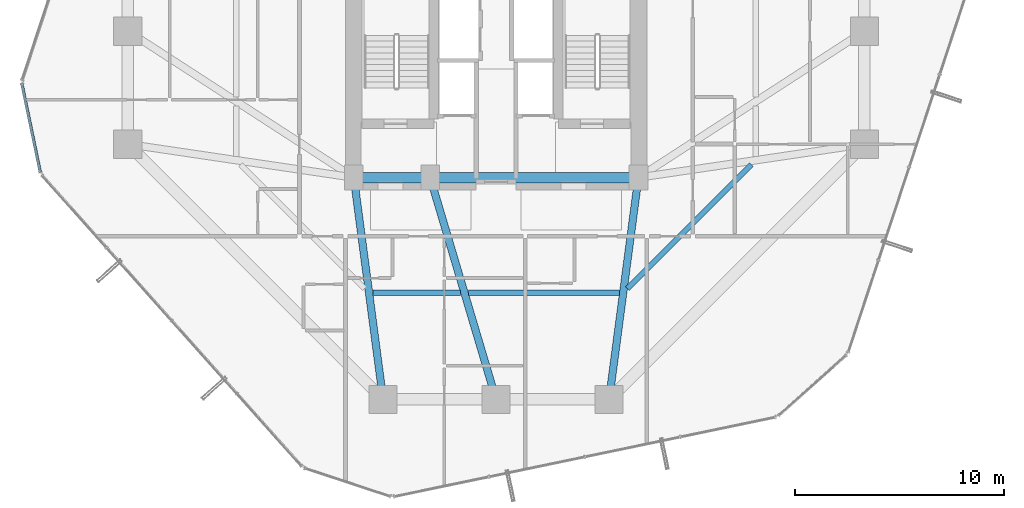
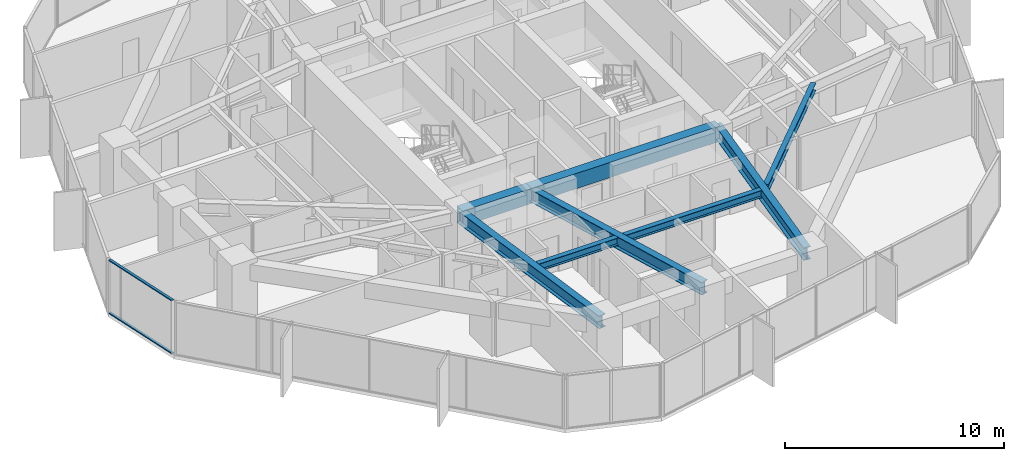
# One storey, part 9 of 38: 8 beams, 2 members, 1 element without a shape of its own.
"""IFC4 building model written with IfcOpenShell, lengths in metres."""

from ifc_helpers import new_model, si_unit, direction, frame, origin, origin_2d, place, context, subcontext, project, spatial, rectangle, hollow_rectangle, i_section, extrude, source, transform, mapped, material, layer, layer_set, material_profile, profile_set, type_object, element, aggregate, save


model = new_model("IFC4")

# Units and contexts
model_context = context("Model", 3, precision=1e-05, world=origin(), true_north=direction((0.0, 1.0)))
body_context = subcontext(model_context, "Body", "Model", "MODEL_VIEW")
ifc_project = project(units=[si_unit("LENGTHUNIT", "METRE"), si_unit("AREAUNIT", "SQUARE_METRE"), si_unit("VOLUMEUNIT", "CUBIC_METRE"), si_unit("PLANEANGLEUNIT", "RADIAN"), si_unit("MASSUNIT", "GRAM", prefix="KILO")], contexts=[model_context])

# Site, building, storey
site_placement = place(None, origin())
site = spatial("IfcSite", under=ifc_project, at=site_placement, CompositionType="ELEMENT")
building_placement = place(site_placement, origin())
building = spatial("IfcBuilding", under=site, at=building_placement, Name="Veraguas Prism Commons", CompositionType="ELEMENT")
storey_placement = place(building_placement, frame((0.0, 0.0, 64.10009765625)))
storey = spatial("IfcBuildingStorey", under=building, at=storey_placement, Name="L17", CompositionType="ELEMENT", Elevation=64.10009765625)

# Beams
ifc_material_1 = material(Name="Concrete C50/60", Category="concrete")
ifc_material_profile_1 = material_profile(ifc_material_1, rectangle(XDim=0.5, YDim=0.85009765625, at=origin_2d()), Name="RC500X850")
ifc_profile_set_1 = profile_set([ifc_material_profile_1], Name="Concrete C50/60")
beam_type_1 = type_object("IfcBeamType", Name="Core Coupling Beam RC 500x850", PredefinedType="BEAM", material=ifc_profile_set_1)
beam_1_placement = place(storey_placement, frame((17.199951171875, 17.0, 2.574951171875), z_axis=(1.0, 0.0, 0.0), x_axis=(0.0, 1.0, 0.0)))
element("IfcBeam", 1, at=beam_1_placement, inside=storey, type_object=beam_type_1, Name="Core Coupling Beam L17-CRS1", PredefinedType="BEAM", context=body_context, shape_type="SweptSolid", body=[
    extrude(rectangle(XDim=0.5, YDim=0.85009765625, at=origin_2d()), origin(), (0.0, 0.0, 1.0), 3.650146484375),
])
beam_2_placement = place(storey_placement, frame((20.85009765625, 17.0, 2.574951171875), z_axis=(1.0, 0.0, 0.0), x_axis=(0.0, 1.0, 0.0)))
element("IfcBeam", 2, at=beam_2_placement, inside=storey, type_object=beam_type_1, Name="Core Coupling Beam L17-CRS2", PredefinedType="BEAM", context=body_context, shape_type="SweptSolid", body=[
    extrude(rectangle(XDim=0.5, YDim=0.85009765625, at=origin_2d()), origin(), (0.0, 0.0, 1.0), 9.949951171875),
])
ifc_material_2 = material(Name="Steel ASTM A992 Grade 50", Category="steel")
ifc_material_profile_2 = material_profile(ifc_material_2, i_section(OverallWidth=0.260986328125, OverallDepth=0.419921875, WebThickness=0.01171875, FlangeThickness=0.019287109375, at=origin_2d()), Name="W410X114")
ifc_profile_set_2 = profile_set([ifc_material_profile_2], Name="Steel ASTM A992 Grade 50")
beam_type_2 = type_object("IfcBeamType", Name="Lower Floor Joist W410x114", PredefinedType="JOIST", material=ifc_profile_set_2)
beam_3_placement = place(storey_placement, frame((18.10546875, 11.488037109375, 2.789794921875), z_axis=(1.0, 0.0, 0.0), x_axis=(0.0, 1.0, 0.0)))
element("IfcBeam", 3, at=beam_3_placement, inside=storey, type_object=beam_type_2, Name="Composite Floor Joist L17-JS10", PredefinedType="JOIST", context=body_context, shape_type="SweptSolid", body=[
    extrude(i_section(OverallWidth=0.260986328125, OverallDepth=0.419921875, WebThickness=0.01171875, FlangeThickness=0.019287109375, at=origin_2d()), origin(), (0.0, 0.0, 1.0), 4.198974609375),
])
beam_4_placement = place(storey_placement, frame((22.671630859375, 11.488037109375, 2.789794921875), z_axis=(1.0, 0.0, 0.0), x_axis=(0.0, 1.0, 0.0)))
element("IfcBeam", 4, at=beam_4_placement, inside=storey, type_object=beam_type_2, Name="Composite Floor Joist L17-JS11", PredefinedType="JOIST", context=body_context, shape_type="SweptSolid", body=[
    extrude(i_section(OverallWidth=0.260986328125, OverallDepth=0.419921875, WebThickness=0.01171875, FlangeThickness=0.019287109375, at=origin_2d()), origin(), (0.0, 0.0, 1.0), 7.222900390625),
])
beam_5_placement = place(storey_placement, frame((30.276611328125, 11.6923828125, 2.789794921875), z_axis=(0.707092226423, 0.70712133565, 0.0), x_axis=(-0.70712133565, 0.707092226423, 0.0)))
element("IfcBeam", 5, at=beam_5_placement, inside=storey, type_object=beam_type_2, Name="Composite Floor Joist L17-JS12", PredefinedType="JOIST", context=body_context, shape_type="SweptSolid", body=[
    extrude(i_section(OverallWidth=0.260986328125, OverallDepth=0.419921875, WebThickness=0.01171875, FlangeThickness=0.019287109375, at=origin_2d()), origin(), (0.0, 0.0, 1.0), 8.386962890625),
])
ifc_material_profile_3 = material_profile(ifc_material_2, i_section(OverallWidth=0.35595703125, OverallDepth=0.700927734375, WebThickness=0.016845703125, FlangeThickness=0.02734375, at=origin_2d()), Name="W690X240")
ifc_profile_set_3 = profile_set([ifc_material_profile_3], Name="Steel ASTM A992 Grade 50")
beam_type_3 = type_object("IfcBeamType", Name="Zone 1 Radial Girder W690x240", PredefinedType="BEAM", material=ifc_profile_set_3)
beam_6_placement = place(storey_placement, frame((18.60009765625, 6.39990234375, 2.6494140625), z_axis=(-0.130950648891, 0.991388888154, 0.0), x_axis=(-0.991388888154, -0.130950648891, 0.0)))
element("IfcBeam", 6, at=beam_6_placement, inside=storey, type_object=beam_type_3, Name="Radial Floor Girder L17-RD10", PredefinedType="BEAM", context=body_context, shape_type="SweptSolid", body=[
    extrude(i_section(OverallWidth=0.35595703125, OverallDepth=0.700927734375, WebThickness=0.016845703125, FlangeThickness=0.02734375, at=origin_2d()), origin(), (0.0, 0.0, 1.0), 10.692138671875),
])
beam_7_placement = place(storey_placement, frame((24.0, 6.39990234375, 2.6494140625), z_axis=(-0.28484745997, 0.958572858237, 0.0), x_axis=(-0.958572858237, -0.28484745997, 0.0)))
element("IfcBeam", 7, at=beam_7_placement, inside=storey, type_object=beam_type_3, Name="Radial Floor Girder L17-RD11", PredefinedType="BEAM", context=body_context, shape_type="SweptSolid", body=[
    extrude(i_section(OverallWidth=0.35595703125, OverallDepth=0.700927734375, WebThickness=0.016845703125, FlangeThickness=0.02734375, at=origin_2d()), origin(), (0.0, 0.0, 1.0), 11.05810546875),
])
beam_8_placement = place(storey_placement, frame((29.39990234375, 6.39990234375, 2.6494140625), z_axis=(0.130950648891, 0.991388888154, 0.0), x_axis=(-0.991388888154, 0.130950648891, 0.0)))
element("IfcBeam", 8, at=beam_8_placement, inside=storey, type_object=beam_type_3, Name="Radial Floor Girder L17-RD12", PredefinedType="BEAM", context=body_context, shape_type="SweptSolid", body=[
    extrude(i_section(OverallWidth=0.35595703125, OverallDepth=0.700927734375, WebThickness=0.016845703125, FlangeThickness=0.02734375, at=origin_2d()), origin(), (0.0, 0.0, 1.0), 10.692138671875),
])

# Curtain wall, members
ifc_material_3 = material(Name="Anodised aluminium EN AW-6063 T6", Category="aluminium")
ifc_layer = layer(ifc_material_3, 0.169921875, Name="Unitised Flush Curtain Wall Zone 1", Category="aluminium")
ifc_layer_set = layer_set([ifc_layer], Name="Anodised aluminium EN AW-6063 T6")
curtain_wall_type = type_object("IfcCurtainWallType", Name="Unitised Flush Curtain Wall Zone 1", PredefinedType="NOTDEFINED", material=ifc_layer_set)
curtain_wall_placement = place(storey_placement, origin())
curtain_wall = element("IfcCurtainWall", 9, at=curtain_wall_placement, inside=storey, type_object=curtain_wall_type, Name="Chamfer Curtain Wall L17-C4", PredefinedType="NOTDEFINED")
ifc_material_profile_4 = material_profile(ifc_material_3, hollow_rectangle(XDim=0.054931640625, YDim=0.135009765625, WallThickness=0.0029296875, at=origin_2d()), Name="AL55X135X3")
ifc_profile_set_4 = profile_set([ifc_material_profile_4], Name="Anodised aluminium EN AW-6063 T6")
member_type = type_object("IfcMemberType", Name="Curtain Wall Transom Standard AL 55x135x3", PredefinedType="USERDEFINED", material=ifc_profile_set_4)
shared_shape = source(origin(), body_context, "Body", "SweptSolid", [
    extrude(hollow_rectangle(XDim=0.054931640625, YDim=0.135009765625, WallThickness=0.0029296875, at=origin_2d()), origin(), (0.0, 0.0, 1.0), 4.3203125),
])
member_1_placement = place(storey_placement, frame((1.335205078125, 21.488037109375, 0.02734375), z_axis=(0.203836904351, -0.979004860266, 0.0), x_axis=(0.0, 0.0, 1.0)))
member_1 = element("IfcMember", 10, at=member_1_placement, type_object=member_type, Name="CW-Z1 Transom 1", ObjectType="TRANSOM", PredefinedType="USERDEFINED", context=body_context, shape_type="MappedRepresentation", body=[
    mapped(shared_shape, transform((0.0, 0.0, 0.0), scale=1.0)),
])
member_2_placement = place(storey_placement, frame((1.335205078125, 21.488037109375, 2.972412109375), z_axis=(0.203836904351, -0.979004860266, 0.0), x_axis=(0.0, 0.0, 1.0)))
member_2 = element("IfcMember", 11, at=member_2_placement, type_object=member_type, Name="CW-Z1 Transom 2", ObjectType="TRANSOM", PredefinedType="USERDEFINED", context=body_context, shape_type="MappedRepresentation", body=[
    mapped(shared_shape, transform((0.0, 0.0, 0.0), scale=1.0)),
])
aggregate(curtain_wall, [member_1, member_2])

save(model, "model.ifc")
